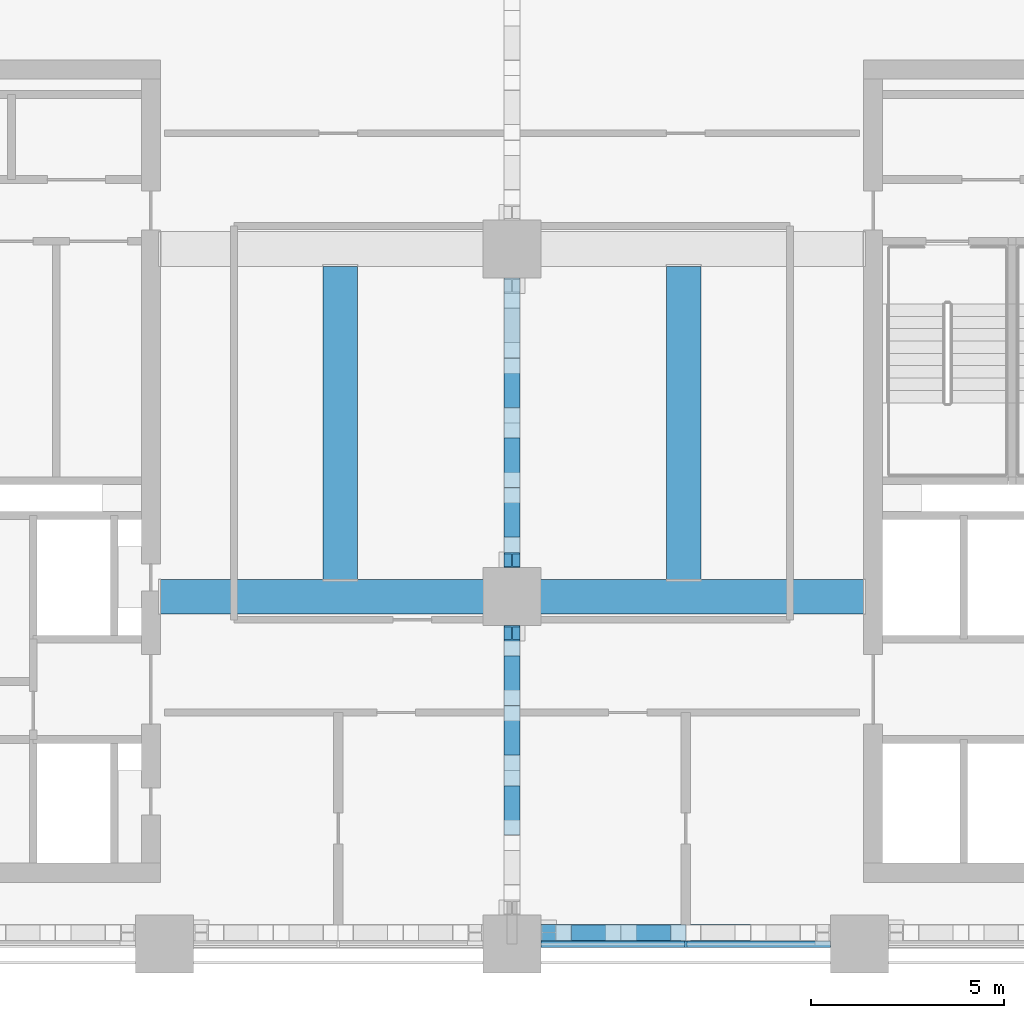
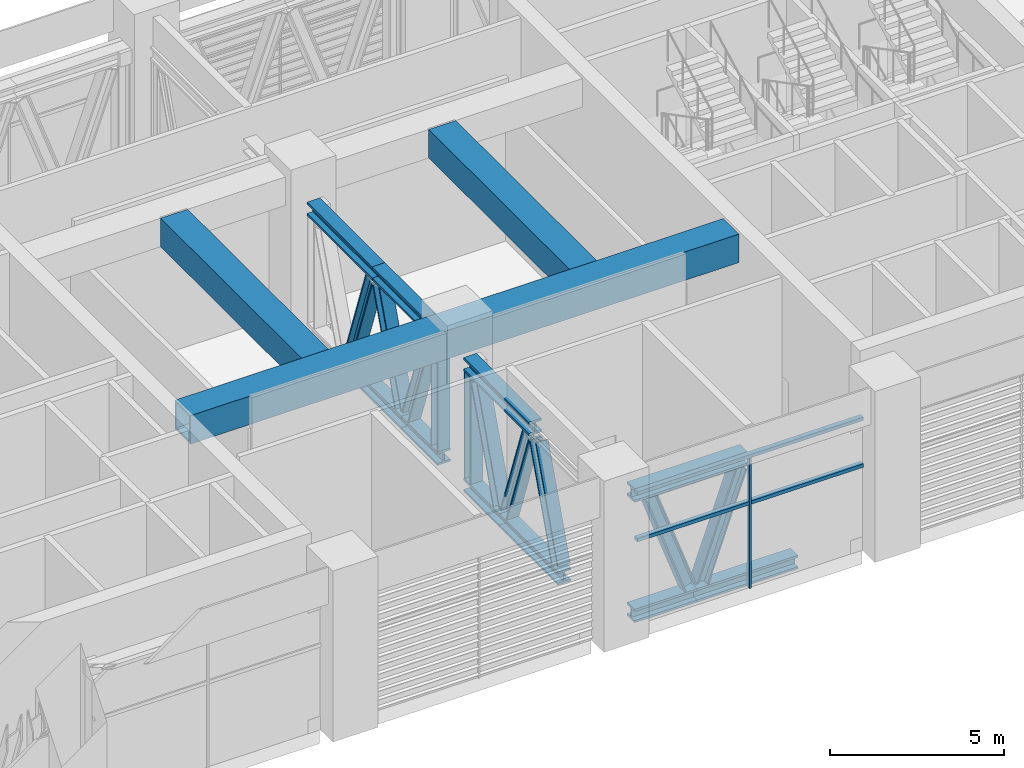
# One storey, part 3 of 19: 23 members, 3 beams, 1 element without a shape of its own.
"""IFC4 building model written with IfcOpenShell, lengths in metres."""

from ifc_helpers import new_model, si_unit, direction, frame, origin, origin_2d, place, context, subcontext, project, spatial, rectangle, hollow_rectangle, i_section, extrude, material, material_profile, profile_set, type_object, element, aggregate, save


model = new_model("IFC4")

# Units and contexts
model_context = context("Model", 3, precision=1e-05, world=origin(), true_north=direction((0.0, 1.0)))
body_context = subcontext(model_context, "Body", "Model", "MODEL_VIEW")
ifc_project = project(units=[si_unit("LENGTHUNIT", "METRE"), si_unit("AREAUNIT", "SQUARE_METRE"), si_unit("VOLUMEUNIT", "CUBIC_METRE"), si_unit("PLANEANGLEUNIT", "RADIAN"), si_unit("MASSUNIT", "GRAM", prefix="KILO")], contexts=[model_context])

# Site, building, storey
site_placement = place(None, origin())
site = spatial("IfcSite", under=ifc_project, at=site_placement, CompositionType="ELEMENT")
building_placement = place(site_placement, origin())
building = spatial("IfcBuilding", under=site, at=building_placement, Name="Tessera Arch", CompositionType="ELEMENT")
storey_placement = place(building_placement, frame((0.0, 0.0, 197.300048828125)))
storey = spatial("IfcBuildingStorey", under=building, at=storey_placement, Name="L47", CompositionType="ELEMENT", Elevation=197.300048828125)

# Curtain wall, members
ifc_material_1 = material(Name="CW7 curtain wall")
curtain_wall_type = type_object("IfcCurtainWallType", Name="CW7 curtain wall", PredefinedType="NOTDEFINED", material=ifc_material_1)
curtain_wall_placement = place(storey_placement, origin())
curtain_wall = element("IfcCurtainWall", 1, at=curtain_wall_placement, inside=storey, type_object=curtain_wall_type, Name="CW7 curtain wall S27.0/3 L47", PredefinedType="NOTDEFINED")
ifc_material_2 = material(Name="Anodised aluminium pale metal", Category="aluminium")
ifc_material_profile_1 = material_profile(ifc_material_2, rectangle(XDim=0.159912109375, YDim=0.06005859375, at=origin_2d()), Name="AL 60x160")
ifc_profile_set_1 = profile_set([ifc_material_profile_1], Name="Anodised aluminium pale metal")
member_type_1 = type_object("IfcMemberType", Name="CW7 mullion", PredefinedType="MULLION", material=ifc_profile_set_1)
member_1_placement = place(storey_placement, frame((31.5, 27.0, 0.0), z_axis=(0.0, 0.0, 1.0), x_axis=(0.0, 1.0, 0.0)))
member_1 = element("IfcMember", 2, at=member_1_placement, type_object=member_type_1, Name="CW7 mullion S27.0/3 1", PredefinedType="MULLION", context=body_context, shape_type="SweptSolid", body=[
    extrude(rectangle(XDim=0.159912109375, YDim=0.06005859375, at=origin_2d()), origin(), (0.0, 0.0, 1.0), 4.579833984375),
])
ifc_material_3 = material(Name="Anodised aluminium pale metal", Category="aluminium")
ifc_material_profile_2 = material_profile(ifc_material_3, rectangle(XDim=0.159912109375, YDim=0.1201171875, at=origin_2d()), Name="AL 160x120")
ifc_profile_set_2 = profile_set([ifc_material_profile_2], Name="Anodised aluminium pale metal")
member_type_2 = type_object("IfcMemberType", Name="CW7 transom", PredefinedType="USERDEFINED", material=ifc_profile_set_2)
member_2_placement = place(storey_placement, frame((27.75, 27.0, 4.639892578125), z_axis=(1.0, 0.0, 0.0), x_axis=(0.0, 1.0, 0.0)))
member_2 = element("IfcMember", 3, at=member_2_placement, type_object=member_type_2, Name="CW7 transom S27.0/3 1.1", ObjectType="TRANSOM", PredefinedType="USERDEFINED", context=body_context, shape_type="SweptSolid", body=[
    extrude(rectangle(XDim=0.159912109375, YDim=0.1201171875, at=origin_2d()), origin(), (0.0, 0.0, 1.0), 7.5),
])
member_3_placement = place(storey_placement, frame((27.75, 27.0, 3.0), z_axis=(1.0, 0.0, 0.0), x_axis=(0.0, 1.0, 0.0)))
member_3 = element("IfcMember", 4, at=member_3_placement, type_object=member_type_2, Name="CW7 transom S27.0/3 2.1", ObjectType="TRANSOM", PredefinedType="USERDEFINED", context=body_context, shape_type="SweptSolid", body=[
    extrude(rectangle(XDim=0.159912109375, YDim=0.1201171875, at=origin_2d()), origin(), (0.0, 0.0, 1.0), 7.5),
])
aggregate(curtain_wall, [member_1, member_2, member_3])

# Beams
ifc_material_4 = material(Name="Steel A572 Gr50", Category="steel")
ifc_material_profile_3 = material_profile(ifc_material_4, hollow_rectangle(XDim=0.89990234375, YDim=1.0, WallThickness=0.06005859375, at=origin_2d()), Name="BOX 900x1000x60")
ifc_profile_set_3 = profile_set([ifc_material_profile_3], Name="Steel A572 Gr50")
beam_type = type_object("IfcBeamType", Name="Portal girder BOX 900x1000x60", PredefinedType="BEAM", material=ifc_profile_set_3)
beam_placement = place(storey_placement, frame((17.89990234375, 36.0, 5.08984375), z_axis=(1.0, 0.0, 0.0), x_axis=(0.0, 1.0, 0.0)))
element("IfcBeam", 5, at=beam_placement, inside=storey, type_object=beam_type, Name="Portal girder y36", PredefinedType="BEAM", context=body_context, shape_type="SweptSolid", body=[
    extrude(hollow_rectangle(XDim=0.89990234375, YDim=1.0, WallThickness=0.06005859375, at=origin_2d()), origin(), (0.0, 0.0, 1.0), 18.2001953125),
])
for number, where, z_axis, x_axis, name in (
    (6, (22.550048828125, 36.449951171875, 5.08984375), (0.0, 1.0, 0.0), (-1.0, 0.0, 0.0), "Gallery deck edge beam west"),
    (7, (31.449951171875, 36.449951171875, 5.08984375), (0.0, 1.0, 0.0), (-1.0, 0.0, 0.0), "Gallery deck edge beam east"),
):
    element("IfcBeam", number, at=place(storey_placement, frame(where, z_axis=z_axis, x_axis=x_axis)), inside=storey, type_object=beam_type, Name=name, PredefinedType="BEAM", context=body_context, shape_type="SweptSolid", body=[
        extrude(hollow_rectangle(XDim=0.89990234375, YDim=1.0, WallThickness=0.06005859375, at=origin_2d()), origin(), (0.0, 0.0, 1.0), 8.10009765625),
    ])

# Members
ifc_material_5 = material(Name="Steel A992 Gr50", Category="steel")
ifc_material_profile_4 = material_profile(ifc_material_5, i_section(OverallWidth=0.424072265625, OverallDepth=0.47412109375, WebThickness=0.047607421875, FlangeThickness=0.0771484375, at=origin_2d()), Name="W14x426")
ifc_profile_set_4 = profile_set([ifc_material_profile_4], Name="Steel A992 Gr50")
member_type_3 = type_object("IfcMemberType", Name="Truss chord W14x426", PredefinedType="CHORD", material=ifc_profile_set_4)
member_4_placement = place(storey_placement, frame((27.75, 27.300048828125, 4.462890625), z_axis=(1.0, 0.0, 0.0), x_axis=(0.0, 1.0, 0.0)))
element("IfcMember", 8, at=member_4_placement, inside=storey, type_object=member_type_3, Name="Belt truss top chord 1", PredefinedType="CHORD", context=body_context, shape_type="SweptSolid", body=[
    extrude(i_section(OverallWidth=0.424072265625, OverallDepth=0.47412109375, WebThickness=0.047607421875, FlangeThickness=0.0771484375, at=origin_2d()), origin(), (0.0, 0.0, 1.0), 3.75),
])
member_5_placement = place(storey_placement, frame((27.75, 27.300048828125, 0.237060546875), z_axis=(1.0, 0.0, 0.0), x_axis=(0.0, 1.0, 0.0)))
element("IfcMember", 9, at=member_5_placement, inside=storey, type_object=member_type_3, Name="Belt truss bottom chord 1", PredefinedType="CHORD", context=body_context, shape_type="SweptSolid", body=[
    extrude(i_section(OverallWidth=0.424072265625, OverallDepth=0.47412109375, WebThickness=0.047607421875, FlangeThickness=0.0771484375, at=origin_2d()), origin(), (0.0, 0.0, 1.0), 2.07177734375),
])
member_6_placement = place(storey_placement, frame((29.82177734375, 27.300048828125, 0.237060546875), z_axis=(1.0, 0.0, 0.0), x_axis=(0.0, 1.0, 0.0)))
element("IfcMember", 10, at=member_6_placement, inside=storey, type_object=member_type_3, Name="Belt truss bottom chord 2", PredefinedType="CHORD", context=body_context, shape_type="SweptSolid", body=[
    extrude(i_section(OverallWidth=0.424072265625, OverallDepth=0.47412109375, WebThickness=0.047607421875, FlangeThickness=0.0771484375, at=origin_2d()), origin(), (0.0, 0.0, 1.0), 3.3564453125),
])
member_7_placement = place(storey_placement, frame((27.0, 31.5, 4.462890625), z_axis=(0.0, 1.0, 0.0), x_axis=(-1.0, 0.0, 0.0)))
element("IfcMember", 11, at=member_7_placement, inside=storey, type_object=member_type_3, Name="Belt truss top chord 2", PredefinedType="CHORD", context=body_context, shape_type="SweptSolid", body=[
    extrude(i_section(OverallWidth=0.424072265625, OverallDepth=0.47412109375, WebThickness=0.047607421875, FlangeThickness=0.0771484375, at=origin_2d()), origin(), (0.0, 0.0, 1.0), 3.75),
])
member_8_placement = place(storey_placement, frame((27.0, 29.822021484375, 0.237060546875), z_axis=(0.0, 1.0, 0.0), x_axis=(-1.0, 0.0, 0.0)))
element("IfcMember", 12, at=member_8_placement, inside=storey, type_object=member_type_3, Name="Belt truss bottom chord 2", PredefinedType="CHORD", context=body_context, shape_type="SweptSolid", body=[
    extrude(i_section(OverallWidth=0.424072265625, OverallDepth=0.47412109375, WebThickness=0.047607421875, FlangeThickness=0.0771484375, at=origin_2d()), origin(), (0.0, 0.0, 1.0), 3.35595703125),
])
member_9_placement = place(storey_placement, frame((27.0, 33.177978515625, 0.237060546875), z_axis=(0.0, 1.0, 0.0), x_axis=(-1.0, 0.0, 0.0)))
element("IfcMember", 13, at=member_9_placement, inside=storey, type_object=member_type_3, Name="Belt truss bottom chord 3", PredefinedType="CHORD", context=body_context, shape_type="SweptSolid", body=[
    extrude(i_section(OverallWidth=0.424072265625, OverallDepth=0.47412109375, WebThickness=0.047607421875, FlangeThickness=0.0771484375, at=origin_2d()), origin(), (0.0, 0.0, 1.0), 2.072021484375),
])
for number, where, z_axis, x_axis, name in (
    (14, (27.0, 36.75, 4.462890625), (0.0, 1.0, 0.0), (-1.0, 0.0, 0.0), "Belt truss top chord 1"),
    (15, (27.0, 40.5, 4.462890625), (0.0, 1.0, 0.0), (-1.0, 0.0, 0.0), "Belt truss top chord 2"),
):
    element("IfcMember", number, at=place(storey_placement, frame(where, z_axis=z_axis, x_axis=x_axis)), inside=storey, type_object=member_type_3, Name=name, PredefinedType="CHORD", context=body_context, shape_type="SweptSolid", body=[
        extrude(i_section(OverallWidth=0.424072265625, OverallDepth=0.47412109375, WebThickness=0.047607421875, FlangeThickness=0.0771484375, at=origin_2d()), origin(), (0.0, 0.0, 1.0), 3.75),
    ])
member_10_placement = place(storey_placement, frame((27.0, 36.75, 0.237060546875), z_axis=(0.0, 1.0, 0.0), x_axis=(-1.0, 0.0, 0.0)))
element("IfcMember", 16, at=member_10_placement, inside=storey, type_object=member_type_3, Name="Belt truss bottom chord 1", PredefinedType="CHORD", context=body_context, shape_type="SweptSolid", body=[
    extrude(i_section(OverallWidth=0.424072265625, OverallDepth=0.47412109375, WebThickness=0.047607421875, FlangeThickness=0.0771484375, at=origin_2d()), origin(), (0.0, 0.0, 1.0), 2.072021484375),
])
member_11_placement = place(storey_placement, frame((27.0, 38.822021484375, 0.237060546875), z_axis=(0.0, 1.0, 0.0), x_axis=(-1.0, 0.0, 0.0)))
element("IfcMember", 17, at=member_11_placement, inside=storey, type_object=member_type_3, Name="Belt truss bottom chord 2", PredefinedType="CHORD", context=body_context, shape_type="SweptSolid", body=[
    extrude(i_section(OverallWidth=0.424072265625, OverallDepth=0.47412109375, WebThickness=0.047607421875, FlangeThickness=0.0771484375, at=origin_2d()), origin(), (0.0, 0.0, 1.0), 3.35595703125),
])
ifc_material_6 = material(Name="Steel A992 Gr50", Category="steel")
ifc_material_profile_5 = material_profile(ifc_material_6, i_section(OverallWidth=0.406494140625, OverallDepth=0.41650390625, WebThickness=0.030029296875, FlangeThickness=0.048095703125, at=origin_2d()), Name="W14x257")
ifc_profile_set_5 = profile_set([ifc_material_profile_5], Name="Steel A992 Gr50")
member_type_4 = type_object("IfcMemberType", Name="Truss diagonal W14x257", PredefinedType="BRACE", material=ifc_profile_set_5)
for number, where, z_axis, x_axis, name in (
    (18, (28.345947265625, 27.300048828125, 4.138916015625), (0.335371083549, 0.0, -0.94208610876), (0.0, 1.0, 0.0), "Belt truss diagonal 1"),
    (19, (30.024169921875, 27.300048828125, 0.56103515625), (0.335371083549, 0.0, 0.94208610876), (0.0, 1.0, 0.0), "Belt truss diagonal 2"),
    (20, (27.0, 30.024169921875, 0.56103515625), (0.0, 0.335371083549, 0.94208610876), (-1.0, 0.0, 0.0), "Belt truss diagonal 2"),
    (21, (27.0, 31.7021484375, 4.138916015625), (0.0, 0.335371083549, -0.94208610876), (-1.0, 0.0, 0.0), "Belt truss diagonal 3"),
    (22, (27.0, 33.38037109375, 0.56103515625), (0.0, 0.335371083549, 0.94208610876), (-1.0, 0.0, 0.0), "Belt truss diagonal 4"),
    (23, (27.0, 37.345947265625, 4.138916015625), (0.0, 0.335371083549, -0.94208610876), (-1.0, 0.0, 0.0), "Belt truss diagonal 1"),
    (24, (27.0, 39.024169921875, 0.56103515625), (0.0, 0.335371083549, 0.94208610876), (-1.0, 0.0, 0.0), "Belt truss diagonal 2"),
    (25, (27.0, 40.7021484375, 4.138916015625), (0.0, 0.335371083549, -0.94208610876), (-1.0, 0.0, 0.0), "Belt truss diagonal 3"),
):
    element("IfcMember", number, at=place(storey_placement, frame(where, z_axis=z_axis, x_axis=x_axis)), inside=storey, type_object=member_type_4, Name=name, PredefinedType="BRACE", context=body_context, shape_type="SweptSolid", body=[
        extrude(i_section(OverallWidth=0.406494140625, OverallDepth=0.41650390625, WebThickness=0.030029296875, FlangeThickness=0.048095703125, at=origin_2d()), origin(), (0.0, 0.0, 1.0), 3.7978515625),
    ])
ifc_material_7 = material(Name="Steel A992 Gr50", Category="steel")
ifc_material_profile_6 = material_profile(ifc_material_7, i_section(OverallWidth=0.398681640625, OverallDepth=0.393798828125, WebThickness=0.022705078125, FlangeThickness=0.03662109375, at=origin_2d()), Name="W14x193")
ifc_profile_set_6 = profile_set([ifc_material_profile_6], Name="Steel A992 Gr50")
member_type_5 = type_object("IfcMemberType", Name="Truss post W14x193", PredefinedType="POST", material=ifc_profile_set_6)
for number, where, z_axis, x_axis, name in (
    (26, (27.0, 35.052978515625, 0.47412109375), (0.0, 0.0, 1.0), (1.0, 0.0, 0.0), "Belt truss end post 2"),
    (27, (27.0, 36.947021484375, 0.47412109375), (0.0, 0.0, 1.0), (1.0, 0.0, 0.0), "Belt truss end post 1"),
):
    element("IfcMember", number, at=place(storey_placement, frame(where, z_axis=z_axis, x_axis=x_axis)), inside=storey, type_object=member_type_5, Name=name, PredefinedType="POST", context=body_context, shape_type="SweptSolid", body=[
        extrude(i_section(OverallWidth=0.398681640625, OverallDepth=0.393798828125, WebThickness=0.022705078125, FlangeThickness=0.03662109375, at=origin_2d()), origin(), (0.0, 0.0, 1.0), 3.751708984375),
    ])

save(model, "model.ifc")
